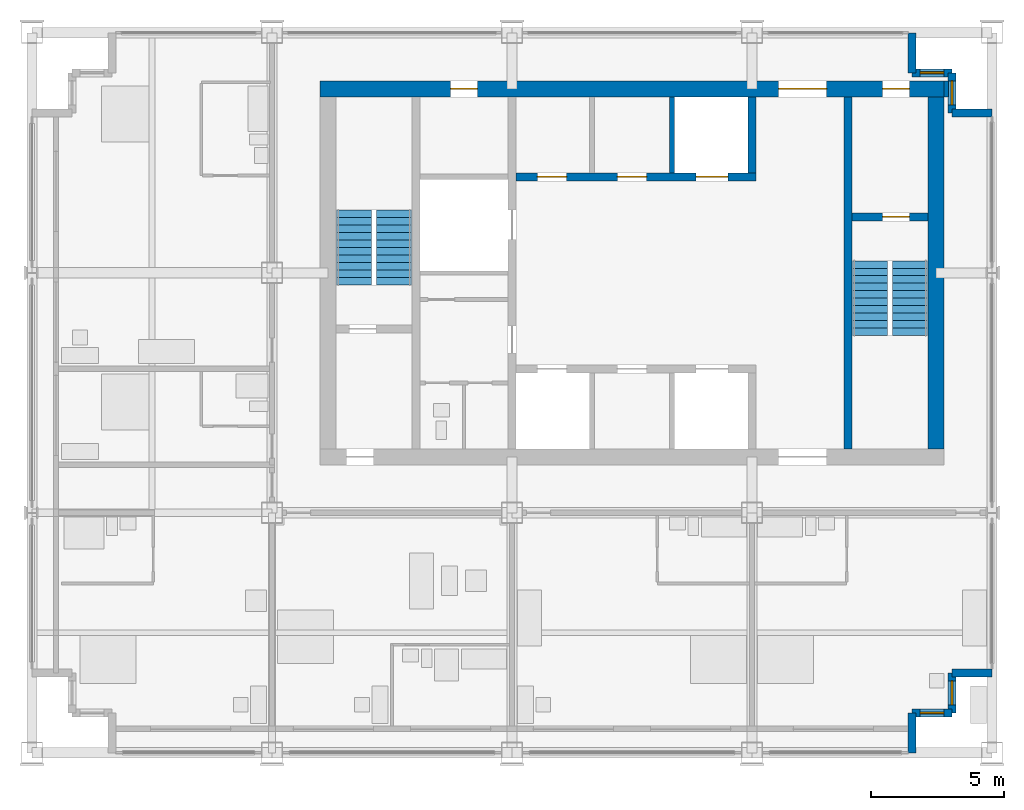
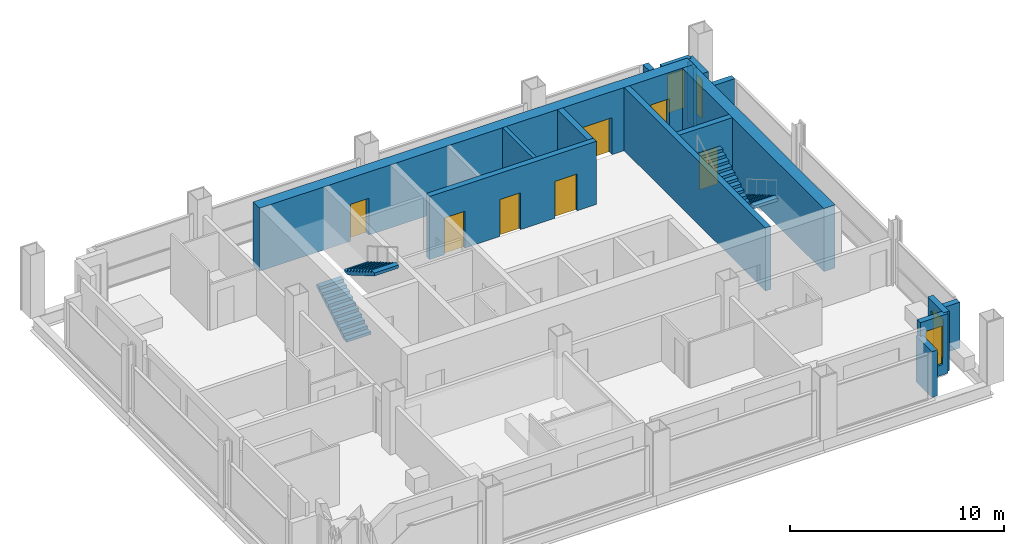
# One storey, part 8 of 11: 16 walls, 7 doors, 4 stair flights, 4 windows, 11 openings, 2 elements without a shape of their own.
"""IFC4 building model written with IfcOpenShell, lengths in metres."""

from ifc_helpers import new_model, si_unit, direction, frame, frame_2d, origin, place, context, subcontext, project, spatial, polyline, rectangle, outline, extrude, material, layer, layer_set, type_object, element, fill, aggregate, save


model = new_model("IFC4")

# Units and contexts
model_context = context("Model", 3, precision=1e-05, world=origin(), true_north=direction((0.0, 1.0)))
body_context = subcontext(model_context, "Body", "Model", "MODEL_VIEW")
ifc_project = project(units=[si_unit("LENGTHUNIT", "METRE"), si_unit("AREAUNIT", "SQUARE_METRE"), si_unit("VOLUMEUNIT", "CUBIC_METRE"), si_unit("PLANEANGLEUNIT", "RADIAN"), si_unit("MASSUNIT", "GRAM", prefix="KILO")], contexts=[model_context])

# Site, building, storey
site_placement = place(None, origin())
site = spatial("IfcSite", under=ifc_project, at=site_placement, CompositionType="ELEMENT")
building_placement = place(site_placement, origin())
building = spatial("IfcBuilding", under=site, at=building_placement, Name="Loomwork Tower", CompositionType="ELEMENT")
storey_placement = place(building_placement, frame((0.0, 0.0, 248.199951171875)))
storey = spatial("IfcBuildingStorey", under=building, at=storey_placement, Name="L68", CompositionType="ELEMENT", Elevation=248.199951171875)

# Wall, openings, doors
ifc_material_1 = material(Name="Concrete 14000 psi (97 MPa)", Category="concrete")
ifc_layer_1 = layer(ifc_material_1, 0.300048828125)
ifc_layer_set_1 = layer_set([ifc_layer_1], Name="Core shear wall 300")
wall_type_1 = type_object("IfcWallType", Name="Core shear wall 300", PredefinedType="SHEAR", material=ifc_layer_set_1)
wall_1_placement = place(storey_placement, frame((18.14990234375, 21.60009765625, 0.0), z_axis=(0.0, 0.0, 1.0), x_axis=(1.0, 0.0, 0.0)))
wall_1 = element("IfcWall", 1, at=wall_1_placement, inside=storey, type_object=wall_type_1, Name="Lift front wall north L68", PredefinedType="SHEAR", context=body_context, shape_type="SweptSolid", body=[
    extrude(rectangle(XDim=9.0, YDim=0.300048828125, at=frame_2d((4.5, 0.0))), origin(), (0.0, 0.0, 1.0), 3.60009765625),
])
opening_1_placement = place(wall_1_placement, frame((6.75, 0.0, 0.0)))
opening_1 = element("IfcOpeningElement", 2, at=opening_1_placement, cuts=wall_1, Name="Opening LD2", PredefinedType="OPENING", context=body_context, shape_type="SweptSolid", body=[
    extrude(rectangle(XDim=1.199951171875, YDim=2.10009765625, at=frame_2d((0.60009765625, 1.050048828125))), frame((0.0, 0.159912109375, 0.0), z_axis=(0.0, -1.0, 0.0), x_axis=(1.0, 0.0, 0.0)), (0.0, 0.0, 1.0), 0.320068359375),
])
opening_2_placement = place(wall_1_placement, frame((0.800048828125, 0.0, 0.0)))
opening_2 = element("IfcOpeningElement", 3, at=opening_2_placement, cuts=wall_1, Name="Opening D17", PredefinedType="OPENING", context=body_context, shape_type="SweptSolid", body=[
    extrude(rectangle(XDim=1.10009765625, YDim=2.10009765625, at=frame_2d((0.550048828125, 1.050048828125))), frame((0.0, 0.159912109375, 0.0), z_axis=(0.0, -1.0, 0.0), x_axis=(1.0, 0.0, 0.0)), (0.0, 0.0, 1.0), 0.320068359375),
])
opening_3_placement = place(wall_1_placement, frame((3.800048828125, 0.0, 0.0)))
opening_3 = element("IfcOpeningElement", 4, at=opening_3_placement, cuts=wall_1, Name="Opening D17", PredefinedType="OPENING", context=body_context, shape_type="SweptSolid", body=[
    extrude(rectangle(XDim=1.10009765625, YDim=2.10009765625, at=frame_2d((0.550048828125, 1.050048828125))), frame((0.0, 0.159912109375, 0.0), z_axis=(0.0, -1.0, 0.0), x_axis=(1.0, 0.0, 0.0)), (0.0, 0.0, 1.0), 0.320068359375),
])
ifc_material_2 = material(Name="Hollow metal door and frame")
door_type_1 = type_object("IfcDoorType", Name="Lift landing door 1200", OperationType="SLIDING_TO_LEFT", PredefinedType="DOOR", material=ifc_material_2)
door_1_placement = place(opening_1_placement, origin())
door_1 = element("IfcDoor", 5, at=door_1_placement, inside=storey, type_object=door_type_1, Name="Lift landing door LF2", OperationType="SLIDING_TO_LEFT", OverallHeight=2.10009765625, OverallWidth=1.199951171875, PredefinedType="DOOR", context=body_context, shape_type="SweptSolid", body=[
    extrude(rectangle(XDim=1.199951171875, YDim=2.10009765625, at=frame_2d((0.60009765625, 1.050048828125))), frame((0.0, 0.02490234375, 0.0), z_axis=(0.0, -1.0, 0.0), x_axis=(1.0, 0.0, 0.0)), (0.0, 0.0, 1.0), 0.050048828125),
])
fill(opening_1, door_1)
ifc_material_3 = material(Name="Hollow metal door and frame")
door_type_2 = type_object("IfcDoorType", Name="Service room door 1100", OperationType="SINGLE_SWING_LEFT", PredefinedType="DOOR", material=ifc_material_3)
door_2_placement = place(opening_2_placement, origin())
door_2 = element("IfcDoor", 6, at=door_2_placement, inside=storey, type_object=door_type_2, Name="Storage room door L68", OperationType="SINGLE_SWING_LEFT", OverallHeight=2.10009765625, OverallWidth=1.10009765625, PredefinedType="DOOR", context=body_context, shape_type="SweptSolid", body=[
    extrude(rectangle(XDim=1.10009765625, YDim=2.10009765625, at=frame_2d((0.550048828125, 1.050048828125))), frame((0.0, 0.02490234375, 0.0), z_axis=(0.0, -1.0, 0.0), x_axis=(1.0, 0.0, 0.0)), (0.0, 0.0, 1.0), 0.050048828125),
])
fill(opening_2, door_2)
door_3_placement = place(opening_3_placement, origin())
door_3 = element("IfcDoor", 7, at=door_3_placement, inside=storey, type_object=door_type_2, Name="Linen and housekeeping store door L68", OperationType="SINGLE_SWING_LEFT", OverallHeight=2.10009765625, OverallWidth=1.10009765625, PredefinedType="DOOR", context=body_context, shape_type="SweptSolid", body=[
    extrude(rectangle(XDim=1.10009765625, YDim=2.10009765625, at=frame_2d((0.550048828125, 1.050048828125))), frame((0.0, 0.02490234375, 0.0), z_axis=(0.0, -1.0, 0.0), x_axis=(1.0, 0.0, 0.0)), (0.0, 0.0, 1.0), 0.050048828125),
])
fill(opening_3, door_3)

# Walls
wall_2_placement = place(storey_placement, frame((27.0, 21.75, 0.0), z_axis=(0.0, 0.0, 1.0), x_axis=(0.0, 1.0, 0.0)))
element("IfcWall", 8, at=wall_2_placement, inside=storey, type_object=wall_type_1, Name="Lift shaft end wall north L68", PredefinedType="SHEAR", context=body_context, shape_type="SweptSolid", body=[
    extrude(rectangle(XDim=2.85009765625, YDim=0.300048828125, at=frame_2d((1.425048828125, 0.0))), origin(), (0.0, 0.0, 1.0), 3.60009765625),
])
wall_3_placement = place(storey_placement, frame((30.60009765625, 11.39990234375, 0.0), z_axis=(0.0, 0.0, 1.0), x_axis=(0.0, 1.0, 0.0)))
element("IfcWall", 9, at=wall_3_placement, inside=storey, type_object=wall_type_1, Name="Stair B west wall L68", PredefinedType="SHEAR", context=body_context, shape_type="SweptSolid", body=[
    extrude(rectangle(XDim=13.2001953125, YDim=0.300048828125, at=frame_2d((6.60009765625, 0.0))), origin(), (0.0, 0.0, 1.0), 3.60009765625),
])

# Wall, opening, door
wall_4_placement = place(storey_placement, frame((30.75, 20.10009765625, 0.0), z_axis=(0.0, 0.0, 1.0), x_axis=(1.0, 0.0, 0.0)))
wall_4 = element("IfcWall", 10, at=wall_4_placement, inside=storey, type_object=wall_type_1, Name="Stair B north wall L68", PredefinedType="SHEAR", context=body_context, shape_type="SweptSolid", body=[
    extrude(rectangle(XDim=2.85009765625, YDim=0.300048828125, at=frame_2d((1.425048828125, 0.0))), origin(), (0.0, 0.0, 1.0), 3.60009765625),
])
opening_4_placement = place(wall_4_placement, frame((1.14990234375, 0.0, 0.0)))
opening_4 = element("IfcOpeningElement", 11, at=opening_4_placement, cuts=wall_4, Name="Opening D4", PredefinedType="OPENING", context=body_context, shape_type="SweptSolid", body=[
    extrude(rectangle(XDim=1.0, YDim=2.10009765625, at=frame_2d((0.5, 1.050048828125))), frame((0.0, 0.159912109375, 0.0), z_axis=(0.0, -1.0, 0.0), x_axis=(1.0, 0.0, 0.0)), (0.0, 0.0, 1.0), 0.320068359375),
])
ifc_material_4 = material(Name="Hollow metal door and frame")
door_type_3 = type_object("IfcDoorType", Name="Stair door 1000", OperationType="SINGLE_SWING_RIGHT", PredefinedType="DOOR", material=ifc_material_4)
door_4_placement = place(opening_4_placement, frame((1.0, 0.0, 0.0), z_axis=(0.0, 0.0, 1.0), x_axis=(-1.0, 0.0, 0.0)))
door_4 = element("IfcDoor", 12, at=door_4_placement, inside=storey, type_object=door_type_3, Name="Stair B door", OperationType="SINGLE_SWING_LEFT", OverallHeight=2.10009765625, OverallWidth=1.0, PredefinedType="DOOR", context=body_context, shape_type="SweptSolid", body=[
    extrude(rectangle(XDim=1.0, YDim=2.10009765625, at=frame_2d((0.5, 1.050048828125))), frame((0.0, 0.02490234375, 0.0), z_axis=(0.0, -1.0, 0.0), x_axis=(1.0, 0.0, 0.0)), (0.0, 0.0, 1.0), 0.050048828125),
])
fill(opening_4, door_4)

# Wall, openings, doors
ifc_material_5 = material(Name="Concrete 14000 psi (97 MPa)", Category="concrete")
ifc_layer_2 = layer(ifc_material_5, 0.60009765625)
ifc_layer_set_2 = layer_set([ifc_layer_2], Name="Core shear wall 600")
wall_type_2 = type_object("IfcWallType", Name="Core shear wall 600", PredefinedType="SHEAR", material=ifc_layer_set_2)
wall_5_placement = place(storey_placement, frame((10.800048828125, 24.89990234375, 0.0), z_axis=(0.0, 0.0, 1.0), x_axis=(1.0, 0.0, 0.0)))
wall_5 = element("IfcWall", 13, at=wall_5_placement, inside=storey, type_object=wall_type_2, Name="Core wall north L68", PredefinedType="SHEAR", context=body_context, shape_type="SweptSolid", body=[
    extrude(rectangle(XDim=23.39990234375, YDim=0.60009765625, at=frame_2d((11.699951171875, 0.0))), origin(), (0.0, 0.0, 1.0), 3.60009765625),
])
opening_5_placement = place(wall_5_placement, frame((17.199951171875, 0.0, 0.0)))
opening_5 = element("IfcOpeningElement", 14, at=opening_5_placement, cuts=wall_5, Name="Opening D6", PredefinedType="OPENING", context=body_context, shape_type="SweptSolid", body=[
    extrude(rectangle(XDim=1.800048828125, YDim=2.10009765625, at=frame_2d((0.89990234375, 1.050048828125))), frame((0.0, 0.31005859375, 0.0), z_axis=(0.0, -1.0, 0.0), x_axis=(1.0, 0.0, 0.0)), (0.0, 0.0, 1.0), 0.6201171875),
])
opening_6_placement = place(wall_5_placement, frame((21.10009765625, 0.0, 0.0)))
opening_6 = element("IfcOpeningElement", 15, at=opening_6_placement, cuts=wall_5, Name="Opening D4", PredefinedType="OPENING", context=body_context, shape_type="SweptSolid", body=[
    extrude(rectangle(XDim=1.0, YDim=2.10009765625, at=frame_2d((0.5, 1.050048828125))), frame((0.0, 0.31005859375, 0.0), z_axis=(0.0, -1.0, 0.0), x_axis=(1.0, 0.0, 0.0)), (0.0, 0.0, 1.0), 0.6201171875),
])
opening_7_placement = place(wall_5_placement, frame((4.89990234375, 0.0, 0.0)))
opening_7 = element("IfcOpeningElement", 16, at=opening_7_placement, cuts=wall_5, Name="Opening D5", PredefinedType="OPENING", context=body_context, shape_type="SweptSolid", body=[
    extrude(rectangle(XDim=1.0, YDim=2.10009765625, at=frame_2d((0.5, 1.050048828125))), frame((0.0, 0.31005859375, 0.0), z_axis=(0.0, -1.0, 0.0), x_axis=(1.0, 0.0, 0.0)), (0.0, 0.0, 1.0), 0.6201171875),
])
ifc_material_6 = material(Name="Hollow metal door and frame")
door_type_4 = type_object("IfcDoorType", Name="Lobby passage double door 1800", OperationType="DOUBLE_DOOR_SINGLE_SWING", PredefinedType="DOOR", material=ifc_material_6)
door_5_placement = place(opening_5_placement, frame((1.800048828125, 0.0, 0.0), z_axis=(0.0, 0.0, 1.0), x_axis=(-1.0, 0.0, 0.0)))
door_5 = element("IfcDoor", 17, at=door_5_placement, inside=storey, type_object=door_type_4, Name="Lobby passage door north", OperationType="DOUBLE_DOOR_SINGLE_SWING", OverallHeight=2.10009765625, OverallWidth=1.800048828125, PredefinedType="DOOR", context=body_context, shape_type="SweptSolid", body=[
    extrude(rectangle(XDim=1.800048828125, YDim=2.10009765625, at=frame_2d((0.89990234375, 1.050048828125))), frame((0.0, 0.02490234375, 0.0), z_axis=(0.0, -1.0, 0.0), x_axis=(1.0, 0.0, 0.0)), (0.0, 0.0, 1.0), 0.050048828125),
])
fill(opening_5, door_5)
ifc_material_7 = material(Name="Hollow metal door and frame")
door_type_5 = type_object("IfcDoorType", Name="Service door 1000", OperationType="SINGLE_SWING_LEFT", PredefinedType="DOOR", material=ifc_material_7)
door_6_placement = place(opening_7_placement, frame((1.0, 0.0, 0.0), z_axis=(0.0, 0.0, 1.0), x_axis=(-1.0, 0.0, 0.0)))
door_6 = element("IfcDoor", 18, at=door_6_placement, inside=storey, type_object=door_type_5, Name="Back-of-house door north", OperationType="SINGLE_SWING_LEFT", OverallHeight=2.10009765625, OverallWidth=1.0, PredefinedType="DOOR", context=body_context, shape_type="SweptSolid", body=[
    extrude(rectangle(XDim=1.0, YDim=2.10009765625, at=frame_2d((0.5, 1.050048828125))), frame((0.0, 0.02490234375, 0.0), z_axis=(0.0, -1.0, 0.0), x_axis=(1.0, 0.0, 0.0)), (0.0, 0.0, 1.0), 0.050048828125),
])
fill(opening_7, door_6)
door_7_placement = place(opening_6_placement, frame((1.0, 0.0, 0.0), z_axis=(0.0, 0.0, 1.0), x_axis=(-1.0, 0.0, 0.0)))
door_7 = element("IfcDoor", 19, at=door_7_placement, inside=storey, type_object=door_type_3, Name="Stair B vestibule door", OperationType="SINGLE_SWING_LEFT", OverallHeight=2.10009765625, OverallWidth=1.0, PredefinedType="DOOR", context=body_context, shape_type="SweptSolid", body=[
    extrude(rectangle(XDim=1.0, YDim=2.10009765625, at=frame_2d((0.5, 1.050048828125))), frame((0.0, 0.02490234375, 0.0), z_axis=(0.0, -1.0, 0.0), x_axis=(1.0, 0.0, 0.0)), (0.0, 0.0, 1.0), 0.050048828125),
])
fill(opening_6, door_7)

# Walls
wall_6_placement = place(storey_placement, frame((33.89990234375, 11.39990234375, 0.0), z_axis=(0.0, 0.0, 1.0), x_axis=(0.0, 1.0, 0.0)))
element("IfcWall", 20, at=wall_6_placement, inside=storey, type_object=wall_type_2, Name="Core wall east L68", PredefinedType="SHEAR", context=body_context, shape_type="SweptSolid", body=[
    extrude(rectangle(XDim=13.2001953125, YDim=0.60009765625, at=frame_2d((6.60009765625, 0.0))), origin(), (0.0, 0.0, 1.0), 3.60009765625),
])
ifc_material_8 = material(Name="Concrete 14000 psi (97 MPa)", Category="concrete")
ifc_layer_3 = layer(ifc_material_8, 0.199951171875)
ifc_layer_set_3 = layer_set([ifc_layer_3], Name="Lift shaft wall 200")
wall_type_3 = type_object("IfcWallType", Name="Lift shaft wall 200", PredefinedType="SHEAR", material=ifc_layer_set_3)
wall_7_placement = place(storey_placement, frame((24.0, 21.75, 0.0), z_axis=(0.0, 0.0, 1.0), x_axis=(0.0, 1.0, 0.0)))
element("IfcWall", 21, at=wall_7_placement, inside=storey, type_object=wall_type_3, Name="Lift shaft separation wall north 2 L68", PredefinedType="SHEAR", context=body_context, shape_type="SweptSolid", body=[
    extrude(rectangle(XDim=2.85009765625, YDim=0.199951171875, at=frame_2d((1.425048828125, 0.0))), origin(), (0.0, 0.0, 1.0), 3.60009765625),
])
ifc_material_9 = material(Name="Limestone on concrete masonry", Category="masonry")
ifc_layer_4 = layer(ifc_material_9, 0.300048828125)
ifc_layer_set_4 = layer_set([ifc_layer_4], Name="Limestone corner wall 300")
wall_type_4 = type_object("IfcWallType", Name="Limestone corner wall 300", PredefinedType="SOLIDWALL", material=ifc_layer_set_4)
wall_8_placement = place(storey_placement, frame((33.0, 0.0, 0.0), z_axis=(0.0, 0.0, 1.0), x_axis=(0.0, 1.0, 0.0)))
element("IfcWall", 22, at=wall_8_placement, inside=storey, type_object=wall_type_4, Name="Stone corner wall SE 1", PredefinedType="SOLIDWALL", context=body_context, shape_type="SweptSolid", body=[
    extrude(rectangle(XDim=1.5, YDim=0.300048828125, at=frame_2d((0.75, 0.0))), origin(), (0.0, 0.0, 1.0), 2.6201171875),
])

# Wall, opening, window
wall_9_placement = place(storey_placement, frame((33.0, 1.5, 0.0), z_axis=(0.0, 0.0, 1.0), x_axis=(1.0, 0.0, 0.0)))
wall_9 = element("IfcWall", 23, at=wall_9_placement, inside=storey, type_object=wall_type_4, Name="Stone corner wall SE 2", PredefinedType="SOLIDWALL", context=body_context, shape_type="SweptSolid", body=[
    extrude(rectangle(XDim=1.5, YDim=0.300048828125, at=frame_2d((0.75, 0.0))), origin(), (0.0, 0.0, 1.0), 3.400146484375),
])
opening_8_placement = place(wall_9_placement, frame((0.300048828125, 0.0, 0.60009765625)))
opening_8 = element("IfcOpeningElement", 24, at=opening_8_placement, cuts=wall_9, Name="Opening CH2", PredefinedType="OPENING", context=body_context, shape_type="SweptSolid", body=[
    extrude(rectangle(XDim=0.89990234375, YDim=2.199951171875, at=frame_2d((0.449951171875, 1.10009765625))), frame((0.0, 0.159912109375, 0.0), z_axis=(0.0, -1.0, 0.0), x_axis=(1.0, 0.0, 0.0)), (0.0, 0.0, 1.0), 0.320068359375),
])
ifc_material_10 = material(Name="Aluminium frame with clear insulated glass", Category="aluminium")
window_type = type_object("IfcWindowType", Name="Corner window 900", PartitioningType="SINGLE_PANEL", PredefinedType="WINDOW", material=ifc_material_10)
window_1_placement = place(opening_8_placement, origin())
window_1 = element("IfcWindow", 25, at=window_1_placement, inside=storey, type_object=window_type, Name="Corner window SE", OverallHeight=2.199951171875, OverallWidth=0.89990234375, PartitioningType="SINGLE_PANEL", PredefinedType="WINDOW", context=body_context, shape_type="SweptSolid", body=[
    extrude(rectangle(XDim=0.89990234375, YDim=2.199951171875, at=frame_2d((0.449951171875, 1.10009765625))), frame((0.0, 0.030029296875, 0.0), z_axis=(0.0, -1.0, 0.0), x_axis=(1.0, 0.0, 0.0)), (0.0, 0.0, 1.0), 0.06005859375),
])
fill(opening_8, window_1)

wall_10_placement = place(storey_placement, frame((34.5, 1.5, 0.0), z_axis=(0.0, 0.0, 1.0), x_axis=(0.0, 1.0, 0.0)))
wall_10 = element("IfcWall", 26, at=wall_10_placement, inside=storey, type_object=wall_type_4, Name="Stone corner wall SE 3", PredefinedType="SOLIDWALL", context=body_context, shape_type="SweptSolid", body=[
    extrude(rectangle(XDim=1.5, YDim=0.300048828125, at=frame_2d((0.75, 0.0))), origin(), (0.0, 0.0, 1.0), 3.400146484375),
])
opening_9_placement = place(wall_10_placement, frame((0.300048828125, 0.0, 0.60009765625)))
opening_9 = element("IfcOpeningElement", 27, at=opening_9_placement, cuts=wall_10, Name="Opening CH2", PredefinedType="OPENING", context=body_context, shape_type="SweptSolid", body=[
    extrude(rectangle(XDim=0.89990234375, YDim=2.199951171875, at=frame_2d((0.449951171875, 1.10009765625))), frame((0.0, 0.159912109375, 0.0), z_axis=(0.0, -1.0, 0.0), x_axis=(1.0, 0.0, 0.0)), (0.0, 0.0, 1.0), 0.320068359375),
])
window_2_placement = place(opening_9_placement, origin())
window_2 = element("IfcWindow", 28, at=window_2_placement, inside=storey, type_object=window_type, Name="Corner window SE", OverallHeight=2.199951171875, OverallWidth=0.89990234375, PartitioningType="SINGLE_PANEL", PredefinedType="WINDOW", context=body_context, shape_type="SweptSolid", body=[
    extrude(rectangle(XDim=0.89990234375, YDim=2.199951171875, at=frame_2d((0.449951171875, 1.10009765625))), frame((0.0, 0.030029296875, 0.0), z_axis=(0.0, -1.0, 0.0), x_axis=(1.0, 0.0, 0.0)), (0.0, 0.0, 1.0), 0.06005859375),
])
fill(opening_9, window_2)

# Walls
for number, where, z_axis, x_axis, name in (
    (29, (34.5, 3.0, 0.0), (0.0, 0.0, 1.0), (1.0, 0.0, 0.0), "Stone corner wall SE 4"),
    (30, (36.0, 24.0, 0.0), (0.0, 0.0, 1.0), (-1.0, 0.0, 0.0), "Stone corner wall NE 1"),
):
    element("IfcWall", number, at=place(storey_placement, frame(where, z_axis=z_axis, x_axis=x_axis)), inside=storey, type_object=wall_type_4, Name=name, PredefinedType="SOLIDWALL", context=body_context, shape_type="SweptSolid", body=[
        extrude(rectangle(XDim=1.5, YDim=0.300048828125, at=frame_2d((0.75, 0.0))), origin(), (0.0, 0.0, 1.0), 2.6201171875),
    ])

# Wall, opening, window
wall_11_placement = place(storey_placement, frame((34.5, 24.0, 0.0), z_axis=(0.0, 0.0, 1.0), x_axis=(0.0, 1.0, 0.0)))
wall_11 = element("IfcWall", 31, at=wall_11_placement, inside=storey, type_object=wall_type_4, Name="Stone corner wall NE 2", PredefinedType="SOLIDWALL", context=body_context, shape_type="SweptSolid", body=[
    extrude(rectangle(XDim=1.5, YDim=0.300048828125, at=frame_2d((0.75, 0.0))), origin(), (0.0, 0.0, 1.0), 3.400146484375),
])
opening_10_placement = place(wall_11_placement, frame((0.300048828125, 0.0, 0.60009765625)))
opening_10 = element("IfcOpeningElement", 32, at=opening_10_placement, cuts=wall_11, Name="Opening CH2", PredefinedType="OPENING", context=body_context, shape_type="SweptSolid", body=[
    extrude(rectangle(XDim=0.89990234375, YDim=2.199951171875, at=frame_2d((0.449951171875, 1.10009765625))), frame((0.0, 0.159912109375, 0.0), z_axis=(0.0, -1.0, 0.0), x_axis=(1.0, 0.0, 0.0)), (0.0, 0.0, 1.0), 0.320068359375),
])
window_3_placement = place(opening_10_placement, origin())
window_3 = element("IfcWindow", 33, at=window_3_placement, inside=storey, type_object=window_type, Name="Corner window NE", OverallHeight=2.199951171875, OverallWidth=0.89990234375, PartitioningType="SINGLE_PANEL", PredefinedType="WINDOW", context=body_context, shape_type="SweptSolid", body=[
    extrude(rectangle(XDim=0.89990234375, YDim=2.199951171875, at=frame_2d((0.449951171875, 1.10009765625))), frame((0.0, 0.030029296875, 0.0), z_axis=(0.0, -1.0, 0.0), x_axis=(1.0, 0.0, 0.0)), (0.0, 0.0, 1.0), 0.06005859375),
])
fill(opening_10, window_3)

wall_12_placement = place(storey_placement, frame((34.5, 25.5, 0.0), z_axis=(0.0, 0.0, 1.0), x_axis=(-1.0, 0.0, 0.0)))
wall_12 = element("IfcWall", 34, at=wall_12_placement, inside=storey, type_object=wall_type_4, Name="Stone corner wall NE 3", PredefinedType="SOLIDWALL", context=body_context, shape_type="SweptSolid", body=[
    extrude(rectangle(XDim=1.5, YDim=0.300048828125, at=frame_2d((0.75, 0.0))), origin(), (0.0, 0.0, 1.0), 3.400146484375),
])
opening_11_placement = place(wall_12_placement, frame((0.300048828125, 0.0, 0.60009765625)))
opening_11 = element("IfcOpeningElement", 35, at=opening_11_placement, cuts=wall_12, Name="Opening CH2", PredefinedType="OPENING", context=body_context, shape_type="SweptSolid", body=[
    extrude(rectangle(XDim=0.89990234375, YDim=2.199951171875, at=frame_2d((0.449951171875, 1.10009765625))), frame((0.0, 0.159912109375, 0.0), z_axis=(0.0, -1.0, 0.0), x_axis=(1.0, 0.0, 0.0)), (0.0, 0.0, 1.0), 0.320068359375),
])
window_4_placement = place(opening_11_placement, origin())
window_4 = element("IfcWindow", 36, at=window_4_placement, inside=storey, type_object=window_type, Name="Corner window NE", OverallHeight=2.199951171875, OverallWidth=0.89990234375, PartitioningType="SINGLE_PANEL", PredefinedType="WINDOW", context=body_context, shape_type="SweptSolid", body=[
    extrude(rectangle(XDim=0.89990234375, YDim=2.199951171875, at=frame_2d((0.449951171875, 1.10009765625))), frame((0.0, 0.030029296875, 0.0), z_axis=(0.0, -1.0, 0.0), x_axis=(1.0, 0.0, 0.0)), (0.0, 0.0, 1.0), 0.06005859375),
])
fill(opening_11, window_4)

# Walls
wall_13_placement = place(storey_placement, frame((33.0, 25.5, 0.0), z_axis=(0.0, 0.0, 1.0), x_axis=(0.0, 1.0, 0.0)))
element("IfcWall", 37, at=wall_13_placement, inside=storey, type_object=wall_type_4, Name="Stone corner wall NE 4", PredefinedType="SOLIDWALL", context=body_context, shape_type="SweptSolid", body=[
    extrude(rectangle(XDim=1.5, YDim=0.300048828125, at=frame_2d((0.75, 0.0))), origin(), (0.0, 0.0, 1.0), 2.6201171875),
])
ifc_material_11 = material(Name="Gypsum board on steel studs, one-hour", Category="steel")
ifc_layer_5 = layer(ifc_material_11, 0.14990234375)
ifc_layer_set_5 = layer_set([ifc_layer_5], Name="Service partition 150")
wall_type_5 = type_object("IfcWallType", Name="Service partition 150", PredefinedType="PARTITIONING", material=ifc_layer_set_5)
wall_14_placement = place(storey_placement, frame((34.199951171875, 24.89990234375, 0.0), z_axis=(0.0, 0.0, 1.0), x_axis=(1.0, 0.0, 0.0)))
element("IfcWall", 38, at=wall_14_placement, inside=storey, type_object=wall_type_5, Name="Core wall infill L68", PredefinedType="PARTITIONING", context=body_context, shape_type="SweptSolid", body=[
    extrude(rectangle(XDim=0.16015625, YDim=0.60009765625, at=frame_2d((0.080078125, 0.0))), origin(), (0.0, 0.0, 1.0), 3.400146484375),
])

# Stair, stair flights
ifc_material_12 = material(Name="Concrete 5000 psi (34 MPa) precast stair", Category="concrete")
stair_type_1 = type_object("IfcStairType", Name="Stair ST-A 22 risers 2850 wide", PredefinedType="HALF_TURN_STAIR", material=ifc_material_12)
stair_1_placement = place(storey_placement, origin())
stair_1 = element("IfcStair", 39, at=stair_1_placement, inside=storey, type_object=stair_type_1, Name="Stair A L68", PredefinedType="HALF_TURN_STAIR")
ifc_material_13 = material(Name="Concrete 5000 psi (34 MPa) precast stair", Category="concrete")
stair_flight_type_1 = type_object("IfcStairFlightType", Name="Stair flight ST-A 11 risers 1300 wide", PredefinedType="STRAIGHT", material=ifc_material_13)
stair_flight_1_placement = place(storey_placement, frame((12.074951171875, 17.550048828125, 0.0), z_axis=(0.0, 0.0, 1.0), x_axis=(0.0, 1.0, 0.0)))
stair_flight_1 = element("IfcStairFlight", 40, at=stair_flight_1_placement, type_object=stair_flight_type_1, Name="ST-A flight 1", NumberOfRisers=11, NumberOfTreads=10, PredefinedType="STRAIGHT", RiserHeight=0.163636364, TreadLength=0.28, context=body_context, shape_type="SweptSolid", body=[
    extrude(outline(polyline([(0.0, 0.0), (0.0, 0.16357421875), (0.280029296875, 0.16357421875), (0.280029296875, 0.327392578125), (0.56005859375, 0.327392578125), (0.56005859375, 0.490966796875), (0.840087890625, 0.490966796875), (0.840087890625, 0.654541015625), (1.1201171875, 0.654541015625), (1.1201171875, 0.818115234375), (1.39990234375, 0.818115234375), (1.39990234375, 0.98193359375), (1.679931640625, 0.98193359375), (1.679931640625, 1.1455078125), (1.9599609375, 1.1455078125), (1.9599609375, 1.30908203125), (2.239990234375, 1.30908203125), (2.239990234375, 1.47265625), (2.52001953125, 1.47265625), (2.52001953125, 1.636474609375), (2.800048828125, 1.636474609375), (2.800048828125, 1.800048828125), (2.800048828125, 1.462646484375), (0.297119140625, 0.0), (0.0, 0.0)])), frame((0.0, 0.64990234375, 0.0), z_axis=(0.0, -1.0, 0.0), x_axis=(1.0, 0.0, 0.0)), (0.0, 0.0, 1.0), 1.300048828125),
])
stair_flight_2_placement = place(storey_placement, frame((13.574951171875, 20.35009765625, 1.800048828125), z_axis=(0.0, 0.0, 1.0), x_axis=(0.0, -1.0, 0.0)))
stair_flight_2 = element("IfcStairFlight", 41, at=stair_flight_2_placement, type_object=stair_flight_type_1, Name="ST-A flight 2", NumberOfRisers=11, NumberOfTreads=10, PredefinedType="STRAIGHT", RiserHeight=0.163636364, TreadLength=0.28, context=body_context, shape_type="SweptSolid", body=[
    extrude(outline(polyline([(0.0, 0.0), (0.0, 0.16357421875), (0.280029296875, 0.16357421875), (0.280029296875, 0.327392578125), (0.56005859375, 0.327392578125), (0.56005859375, 0.490966796875), (0.840087890625, 0.490966796875), (0.840087890625, 0.654541015625), (1.1201171875, 0.654541015625), (1.1201171875, 0.818115234375), (1.39990234375, 0.818115234375), (1.39990234375, 0.98193359375), (1.679931640625, 0.98193359375), (1.679931640625, 1.1455078125), (1.9599609375, 1.1455078125), (1.9599609375, 1.30908203125), (2.239990234375, 1.30908203125), (2.239990234375, 1.47265625), (2.52001953125, 1.47265625), (2.52001953125, 1.636474609375), (2.800048828125, 1.636474609375), (2.800048828125, 1.800048828125), (2.800048828125, 1.462646484375), (0.297119140625, 0.0), (0.0, 0.0)])), frame((0.0, 0.64990234375, 0.0), z_axis=(0.0, -1.0, 0.0), x_axis=(1.0, 0.0, 0.0)), (0.0, 0.0, 1.0), 1.300048828125),
])
aggregate(stair_1, [stair_flight_1, stair_flight_2])

ifc_material_14 = material(Name="Concrete 5000 psi (34 MPa) precast stair", Category="concrete")
stair_type_2 = type_object("IfcStairType", Name="Stair ST-B 22 risers 2850 wide", PredefinedType="HALF_TURN_STAIR", material=ifc_material_14)
stair_2_placement = place(storey_placement, origin())
stair_2 = element("IfcStair", 42, at=stair_2_placement, inside=storey, type_object=stair_type_2, Name="Stair B L68", PredefinedType="HALF_TURN_STAIR")
ifc_material_15 = material(Name="Concrete 5000 psi (34 MPa) precast stair", Category="concrete")
stair_flight_type_2 = type_object("IfcStairFlightType", Name="Stair flight ST-B 11 risers 1300 wide", PredefinedType="STRAIGHT", material=ifc_material_15)
stair_flight_3_placement = place(storey_placement, frame((32.925048828125, 18.449951171875, 0.0), z_axis=(0.0, 0.0, 1.0), x_axis=(0.0, -1.0, 0.0)))
stair_flight_3 = element("IfcStairFlight", 43, at=stair_flight_3_placement, type_object=stair_flight_type_2, Name="ST-B flight 1", NumberOfRisers=11, NumberOfTreads=10, PredefinedType="STRAIGHT", RiserHeight=0.163636364, TreadLength=0.28, context=body_context, shape_type="SweptSolid", body=[
    extrude(outline(polyline([(0.0, 0.0), (0.0, 0.16357421875), (0.280029296875, 0.16357421875), (0.280029296875, 0.327392578125), (0.56005859375, 0.327392578125), (0.56005859375, 0.490966796875), (0.840087890625, 0.490966796875), (0.840087890625, 0.654541015625), (1.1201171875, 0.654541015625), (1.1201171875, 0.818115234375), (1.39990234375, 0.818115234375), (1.39990234375, 0.98193359375), (1.679931640625, 0.98193359375), (1.679931640625, 1.1455078125), (1.9599609375, 1.1455078125), (1.9599609375, 1.30908203125), (2.239990234375, 1.30908203125), (2.239990234375, 1.47265625), (2.52001953125, 1.47265625), (2.52001953125, 1.636474609375), (2.800048828125, 1.636474609375), (2.800048828125, 1.800048828125), (2.800048828125, 1.462646484375), (0.297119140625, 0.0), (0.0, 0.0)])), frame((0.0, 0.64990234375, 0.0), z_axis=(0.0, -1.0, 0.0), x_axis=(1.0, 0.0, 0.0)), (0.0, 0.0, 1.0), 1.300048828125),
])
stair_flight_4_placement = place(storey_placement, frame((31.425048828125, 15.64990234375, 1.800048828125), z_axis=(0.0, 0.0, 1.0), x_axis=(0.0, 1.0, 0.0)))
stair_flight_4 = element("IfcStairFlight", 44, at=stair_flight_4_placement, type_object=stair_flight_type_2, Name="ST-B flight 2", NumberOfRisers=11, NumberOfTreads=10, PredefinedType="STRAIGHT", RiserHeight=0.163636364, TreadLength=0.28, context=body_context, shape_type="SweptSolid", body=[
    extrude(outline(polyline([(0.0, 0.0), (0.0, 0.16357421875), (0.280029296875, 0.16357421875), (0.280029296875, 0.327392578125), (0.56005859375, 0.327392578125), (0.56005859375, 0.490966796875), (0.840087890625, 0.490966796875), (0.840087890625, 0.654541015625), (1.1201171875, 0.654541015625), (1.1201171875, 0.818115234375), (1.39990234375, 0.818115234375), (1.39990234375, 0.98193359375), (1.679931640625, 0.98193359375), (1.679931640625, 1.1455078125), (1.9599609375, 1.1455078125), (1.9599609375, 1.30908203125), (2.239990234375, 1.30908203125), (2.239990234375, 1.47265625), (2.52001953125, 1.47265625), (2.52001953125, 1.636474609375), (2.800048828125, 1.636474609375), (2.800048828125, 1.800048828125), (2.800048828125, 1.462646484375), (0.297119140625, 0.0), (0.0, 0.0)])), frame((0.0, 0.64990234375, 0.0), z_axis=(0.0, -1.0, 0.0), x_axis=(1.0, 0.0, 0.0)), (0.0, 0.0, 1.0), 1.300048828125),
])
aggregate(stair_2, [stair_flight_3, stair_flight_4])

save(model, "model.ifc")
